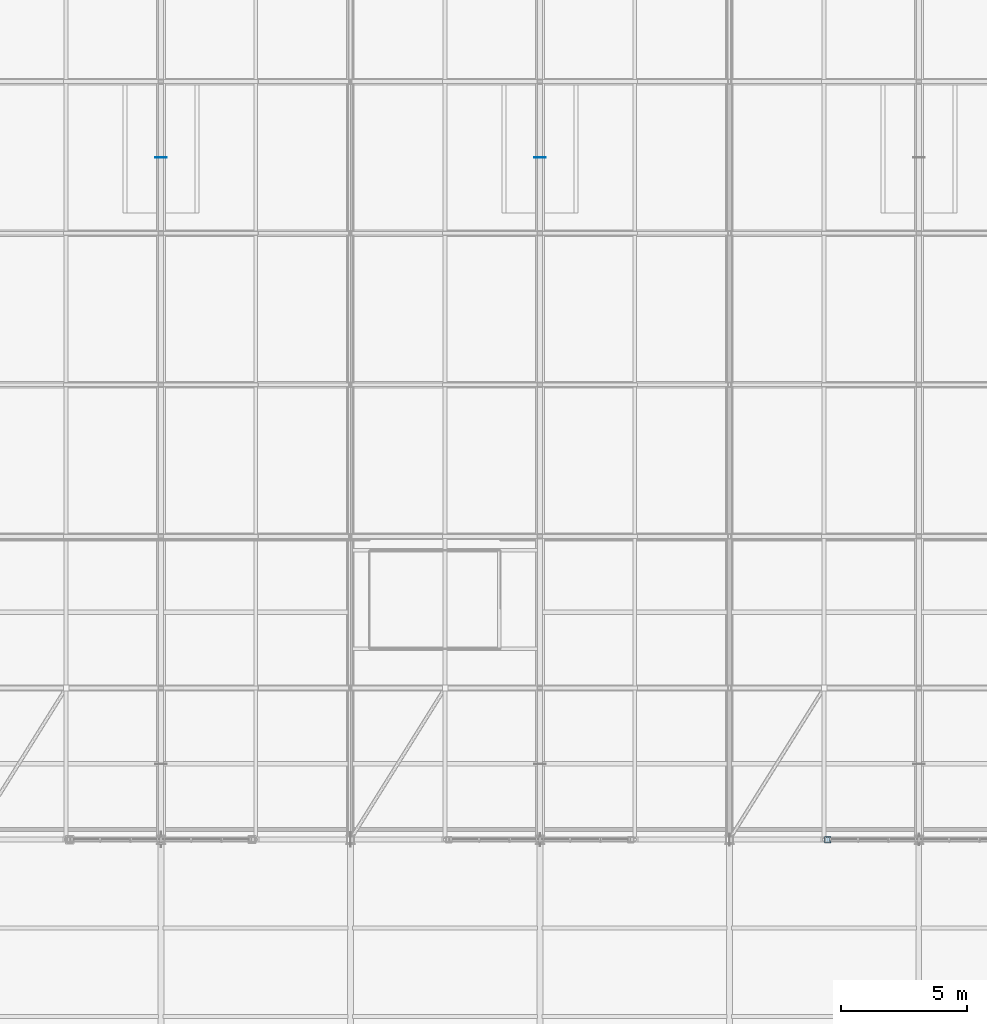
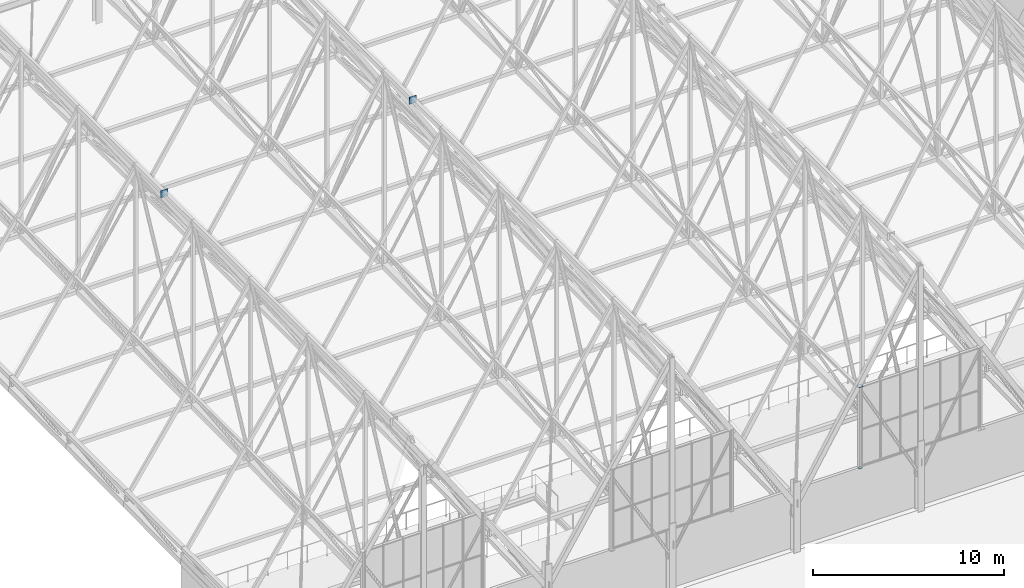
# One storey, part 292 of 324: 4 plates.
"""IFC4 building model written with IfcOpenShell, lengths in metres."""

import ifcopenshell
import ifcopenshell.guid

model = None  # the IFC model being written
_history = None  # IfcOwnerHistory: only IFC2X3 demands one
_inside = {}  # id of a spatial element -> (the spatial element, [elements in it])
_under = {}  # id of a project, library or spatial element -> (it, [spatial elements below it])
_declared = {}  # id of a project -> (the project, [libraries it declares])
_typed = {}  # id of a type object -> (the type object, [elements of that type])
_made_of = {}  # id of a material, layer set ... -> (it, [elements and type objects made of it])


def new_model(schema):
    """Start an empty IFC model of exactly this schema.

    Asked for "IFC4X3", IfcOpenShell would pick the latest addendum, in which some entities
    have other attributes; the version numbers below select the first issue.
    IFC2X3 requires an IfcOwnerHistory on every rooted entity: one is made here for all.
    """
    global model, _history
    if schema == "IFC4X3":
        model = ifcopenshell.file(schema_version=(4, 3, 0, 0))
    else:
        model = ifcopenshell.file(schema=schema)
    _inside.clear()
    _under.clear()
    _declared.clear()
    _typed.clear()
    _made_of.clear()
    _history = None
    if model.schema == "IFC2X3":
        org = make("IfcOrganization", Name="unknown")
        user = make(
            "IfcPersonAndOrganization",
            ThePerson=make("IfcPerson", FamilyName="unknown"),
            TheOrganization=org,
        )
        app = make(
            "IfcApplication",
            ApplicationDeveloper=org,
            Version="unknown",
            ApplicationFullName="unknown",
            ApplicationIdentifier="unknown",
        )
        _history = make(
            "IfcOwnerHistory",
            OwningUser=user,
            OwningApplication=app,
            ChangeAction="ADDED",
            CreationDate=0,
        )
    return model


def make(cls, **values):
    """One entity of the class cls with the attributes given. An attribute that is None is left unset."""
    return model.create_entity(
        cls, **{name: value for name, value in values.items() if value is not None}
    )


def rooted(cls, **values):
    """An entity with a GlobalId (a new one), such as an element, a storey or a relation."""
    return make(cls, GlobalId=ifcopenshell.guid.new(), OwnerHistory=_history, **values)


def si_unit(unit_type, name, prefix=None):
    """IfcSIUnit, for example si_unit("LENGTHUNIT", "METRE", prefix="MILLI")."""
    return make("IfcSIUnit", UnitType=unit_type, Prefix=prefix, Name=name)


def assignment(units):
    """IfcUnitAssignment: the units of a project."""
    return None if units is None else make("IfcUnitAssignment", Units=units)


def point(xyz):
    """IfcCartesianPoint."""
    return None if xyz is None else make("IfcCartesianPoint", Coordinates=xyz)


def direction(xyz):
    """IfcDirection."""
    return None if xyz is None else make("IfcDirection", DirectionRatios=xyz)


def frame(location, z_axis=None, x_axis=None):
    """IfcAxis2Placement3D, a coordinate frame: its origin and axes. An axis left out is left unset."""
    return make(
        "IfcAxis2Placement3D",
        Location=point(location),
        Axis=direction(z_axis),
        RefDirection=direction(x_axis),
    )


def frame_2d(location, x_axis=None):
    """IfcAxis2Placement2D, a coordinate frame in the plane: its origin and x axis."""
    return make(
        "IfcAxis2Placement2D", Location=point(location), RefDirection=direction(x_axis)
    )


def origin():
    """The frame at (0, 0, 0) with its axes left unset."""
    return frame((0.0, 0.0, 0.0))


def origin_2d():
    """The frame at (0, 0) in the plane with its x axis left unset."""
    return frame_2d((0.0, 0.0))


def place(relative_to, where):
    """IfcLocalPlacement: puts the frame where relative to a parent placement (None: the world)."""
    return make(
        "IfcLocalPlacement", PlacementRelTo=relative_to, RelativePlacement=where
    )


def context(
    kind, dimensions, precision=None, world=None, true_north=None, identifier=None
):
    """IfcGeometricRepresentationContext, for example the 3D "Model" context."""
    return make(
        "IfcGeometricRepresentationContext",
        ContextIdentifier=identifier,
        ContextType=kind,
        CoordinateSpaceDimension=dimensions,
        Precision=precision,
        WorldCoordinateSystem=world,
        TrueNorth=true_north,
    )


def subcontext(parent, identifier, kind, view, scale=None):
    """IfcGeometricRepresentationSubContext, for example "Body" below "Model"."""
    return make(
        "IfcGeometricRepresentationSubContext",
        ContextIdentifier=identifier,
        ContextType=kind,
        ParentContext=parent,
        TargetScale=scale,
        TargetView=view,
    )


def project(units=None, contexts=None):
    """IfcProject with its units and contexts."""
    return rooted(
        "IfcProject",
        Name="project",
        RepresentationContexts=contexts,
        UnitsInContext=assignment(units),
    )


def spatial(cls, under=None, at=None, **own):
    """A site, building, storey or space (cls), placed at a placement, below another one or the project."""
    s = rooted(cls, ObjectPlacement=at, **own)
    if under is not None:
        _under.setdefault(under.id(), (under, []))[1].append(s)
    return s


def profile(cls, at=None, kind="AREA", **sizes):
    """A parametric profile (cls). Its sizes go by their IFC names, for example OverallWidth=200.0."""
    return make(cls, ProfileType=kind, Position=at, **sizes)


def rectangle(**sizes):
    """IfcRectangleProfileDef."""
    return profile("IfcRectangleProfileDef", **sizes)


def extrude(swept, where, along, depth):
    """IfcExtrudedAreaSolid: the profile swept, set in the frame where, extruded along a direction by depth."""
    return make(
        "IfcExtrudedAreaSolid",
        SweptArea=swept,
        Position=where,
        ExtrudedDirection=direction(along),
        Depth=depth,
    )


def shape(context_of_items, identifier, shape_type, items):
    """IfcShapeRepresentation: the items that make up one representation, for example the "Body"."""
    return make(
        "IfcShapeRepresentation",
        ContextOfItems=context_of_items,
        RepresentationIdentifier=identifier,
        RepresentationType=shape_type,
        Items=items,
    )


def material(Name=None, Category=None):
    """IfcMaterial."""
    return make("IfcMaterial", Name=Name, Category=Category)


def layer(
    of_material, thickness, ventilated=None, Name=None, Category=None, Priority=None
):
    """IfcMaterialLayer: one layer of a wall or slab, of a material (None: an air gap)."""
    return make(
        "IfcMaterialLayer",
        Material=of_material,
        LayerThickness=thickness,
        IsVentilated=ventilated,
        Name=Name,
        Category=Category,
        Priority=Priority,
    )


def layer_set(layers, Name=None):
    """IfcMaterialLayerSet."""
    return make("IfcMaterialLayerSet", MaterialLayers=layers, LayerSetName=Name)


def made_of(thing, what):
    """Note that an element or type object is made of a material, layer set ...; save() writes the relation."""
    if what is not None:
        _made_of.setdefault(what.id(), (what, []))[1].append(thing)
    return thing


def type_object(cls, material=None, **own):
    """A type object (cls), such as IfcWallType, which elements share."""
    return made_of(rooted(cls, **own), material)


def element(
    cls,
    number,
    at=None,
    inside=None,
    cuts=None,
    type_object=None,
    material=None,
    context=None,
    identifier="Body",
    shape_type=None,
    held_by="IfcProductDefinitionShape",
    body=None,
    shapes=None,
    **own,
):
    """One element of the class cls, such as IfcWall. Its Tag is "e" and its number.

    at: its placement. inside: the storey or other place that contains it. cuts: it is an
    opening in that element (IfcRelVoidsElement). A single representation is given by context,
    identifier, shape_type and body (its items); several are given by shapes. held_by: the class
    of the entity that holds the representations. save() writes the other relations.
    """
    e = rooted(cls, Tag="e%d" % number, ObjectPlacement=at, **own)
    if body is not None:
        shapes = [shape(context, identifier, shape_type, body)]
    if shapes is not None:
        e.Representation = make(held_by, Representations=shapes)
    if inside is not None:
        _inside.setdefault(inside.id(), (inside, []))[1].append(e)
    if cuts is not None:
        rooted(
            "IfcRelVoidsElement", RelatingBuildingElement=cuts, RelatedOpeningElement=e
        )
    if type_object is not None:
        _typed.setdefault(type_object.id(), (type_object, []))[1].append(e)
    return made_of(e, material)


def aggregate(whole, parts):
    """IfcRelAggregates: a whole, such as a stair, and the parts it consists of."""
    return rooted("IfcRelAggregates", RelatingObject=whole, RelatedObjects=parts)


def save(model, path):
    """Write the relations noted so far, then the file.

    IfcRelAggregates (storeys below a building ...), IfcRelContainedInSpatialStructure (elements
    in a storey), IfcRelDefinesByType, IfcRelAssociatesMaterial and IfcRelDeclares: one each for
    every whole, place, type object, material and project.
    """
    for whole, parts in _under.values():
        aggregate(whole, parts)
    for where, things in _inside.values():
        rooted(
            "IfcRelContainedInSpatialStructure",
            RelatedElements=things,
            RelatingStructure=where,
        )
    for kind, things in _typed.values():
        rooted("IfcRelDefinesByType", RelatedObjects=things, RelatingType=kind)
    for what, things in _made_of.values():
        rooted("IfcRelAssociatesMaterial", RelatedObjects=things, RelatingMaterial=what)
    for by, libraries in _declared.values():
        rooted("IfcRelDeclares", RelatingContext=by, RelatedDefinitions=libraries)
    model.write(path)


model = new_model("IFC4")

# Units and contexts
model_context = context("Model", 3, precision=1e-05, world=origin(), true_north=direction((0.0, 1.0)))
body_context = subcontext(model_context, "Body", "Model", "MODEL_VIEW")
ifc_project = project(units=[si_unit("LENGTHUNIT", "METRE"), si_unit("AREAUNIT", "SQUARE_METRE"), si_unit("VOLUMEUNIT", "CUBIC_METRE"), si_unit("PLANEANGLEUNIT", "RADIAN"), si_unit("MASSUNIT", "GRAM", prefix="KILO")], contexts=[model_context])

# Site, building, storey
site_placement = place(None, origin())
site = spatial("IfcSite", under=ifc_project, at=site_placement, CompositionType="ELEMENT")
building_placement = place(site_placement, origin())
building = spatial("IfcBuilding", under=site, at=building_placement, Name="Solvenia Promenade Tram Depot", CompositionType="ELEMENT")
storey_placement = place(building_placement, frame((0.0, 0.0, 4.5)))
storey = spatial("IfcBuildingStorey", under=building, at=storey_placement, Name="L01", CompositionType="ELEMENT", Elevation=4.5)

# Plates
ifc_material = material(Name="Structural steel ASTM A572 Gr. 50", Category="steel")
ifc_layer_1 = layer(ifc_material, 0.011962890625, Name="Structural steel ASTM A572 Gr. 50", Category="steel")
ifc_layer_set_1 = layer_set([ifc_layer_1], Name="Structural steel ASTM A572 Gr. 50")
plate_type_1 = type_object("IfcPlateType", Name="EndCap-CP12", PredefinedType="SHEET", material=ifc_layer_set_1)
plate_1_placement = place(storey_placement, frame((33.89990234375, 66.0, 3.94384765625), z_axis=(0.0, 0.0, 1.0), x_axis=(1.0, 0.0, 0.0)))
element("IfcPlate", 1, at=plate_1_placement, inside=storey, type_object=plate_type_1, Name="Gable Jamb Bottom Cap Plate 011", PredefinedType="SHEET", context=body_context, shape_type="SweptSolid", body=[
    extrude(rectangle(XDim=0.179931640625, YDim=0.179931640625, at=origin_2d()), origin(), (0.0, 0.0, 1.0), 0.011962890625),
])
ifc_layer_2 = layer(ifc_material, 0.02001953125, Name="Structural steel ASTM A572 Gr. 50", Category="steel")
ifc_layer_set_2 = layer_set([ifc_layer_2], Name="Structural steel ASTM A572 Gr. 50")
plate_type_2 = type_object("IfcPlateType", Name="EndCap-CP4", PredefinedType="SHEET", material=ifc_layer_set_2)
plate_2_placement = place(storey_placement, frame((33.89990234375, 66.0, 9.141845703125), z_axis=(0.0, 0.0, 1.0), x_axis=(1.0, 0.0, 0.0)))
element("IfcPlate", 2, at=plate_2_placement, inside=storey, type_object=plate_type_2, Name="Gable Jamb Top Cap Plate 011", PredefinedType="SHEET", context=body_context, shape_type="SweptSolid", body=[
    extrude(rectangle(XDim=0.260009765625, YDim=0.260009765625, at=origin_2d()), origin(), (0.0, 0.0, 1.0), 0.01611328125),
])
ifc_layer_3 = layer(ifc_material, 0.02392578125, Name="Structural steel ASTM A572 Gr. 50", Category="steel")
ifc_layer_set_3 = layer_set([ifc_layer_3], Name="Structural steel ASTM A572 Gr. 50")
plate_type_3 = type_object("IfcPlateType", Name="Gusset-GP4", PredefinedType="USERDEFINED", material=ifc_layer_set_3)
for number, where, z_axis, x_axis, name in (
    (3, (7.5, 93.0, 14.10009765625), (0.0, 0.0, 1.0), (1.0, 0.0, 0.0), "Ridge Node Gusset T02-S05"),
    (4, (22.5, 93.0, 14.81494140625), (0.0, 0.0, 1.0), (1.0, 0.0, 0.0), "Ridge Node Gusset T04-S05"),
):
    element("IfcPlate", number, at=place(storey_placement, frame(where, z_axis=z_axis, x_axis=x_axis)), inside=storey, type_object=plate_type_3, Name=name, ObjectType="GUSSET PLATE", PredefinedType="USERDEFINED", context=body_context, shape_type="SweptSolid", body=[
        extrude(rectangle(XDim=0.449951171875, YDim=0.02001953125, at=origin_2d()), origin(), (0.0, 0.0, 1.0), 0.449951171875),
    ])

save(model, "model.ifc")
